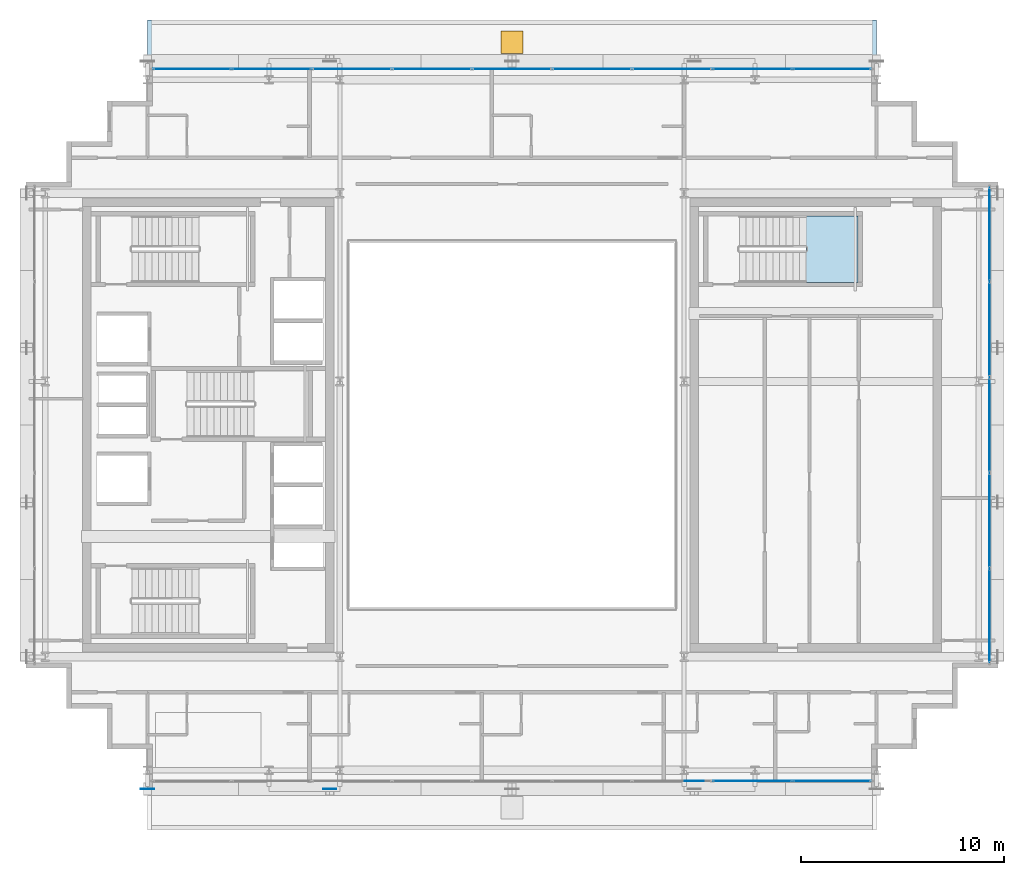
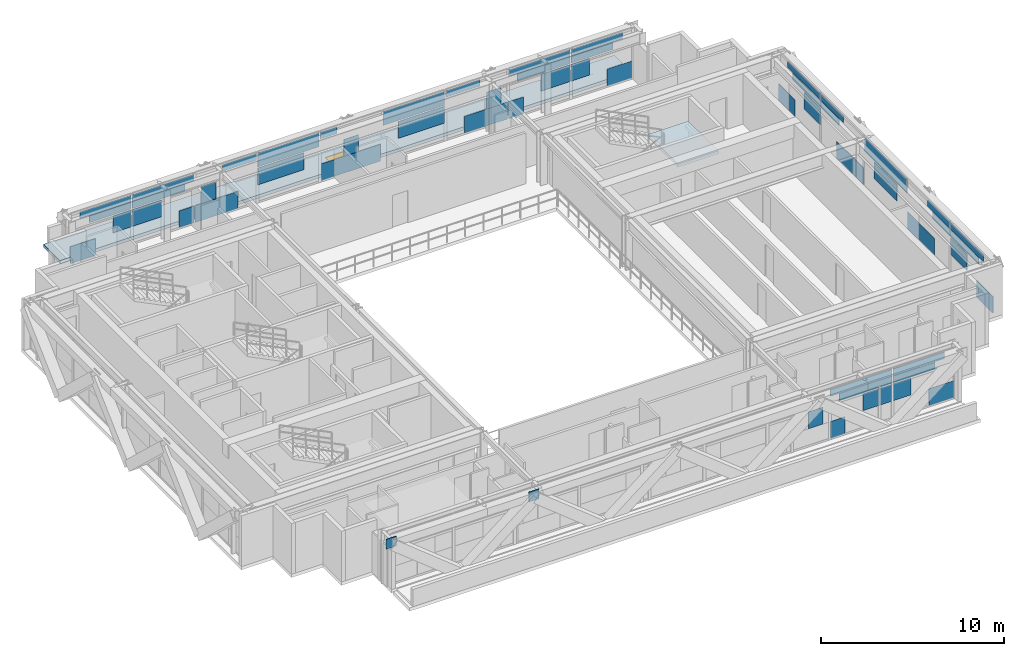
# One storey, part 17 of 27: 56 plates, 2 slabs, 1 door, 1 opening, 4 elements without a shape of their own.
"""IFC4 building model written with IfcOpenShell, lengths in metres."""

from ifc_helpers import new_model, si_unit, direction, frame, origin, origin_2d, place, context, subcontext, project, spatial, polyline, rectangle, outline, extrude, source, transform, mapped, material, layer, layer_set, type_object, element, fill, aggregate, save


model = new_model("IFC4")

# Units and contexts
model_context = context("Model", 3, precision=1e-05, world=origin(), true_north=direction((0.0, 1.0)))
body_context = subcontext(model_context, "Body", "Model", "MODEL_VIEW")
ifc_project = project(units=[si_unit("LENGTHUNIT", "METRE"), si_unit("AREAUNIT", "SQUARE_METRE"), si_unit("VOLUMEUNIT", "CUBIC_METRE"), si_unit("PLANEANGLEUNIT", "RADIAN"), si_unit("MASSUNIT", "GRAM", prefix="KILO")], contexts=[model_context])

# Site, building, storey
site_placement = place(None, origin())
site = spatial("IfcSite", under=ifc_project, at=site_placement, CompositionType="ELEMENT")
building_placement = place(site_placement, origin())
building = spatial("IfcBuilding", under=site, at=building_placement, Name="Ocotamira Hotel", CompositionType="ELEMENT")
storey_placement = place(building_placement, frame((0.0, 0.0, 232.800048828125)))
storey = spatial("IfcBuildingStorey", under=building, at=storey_placement, Name="L58", CompositionType="ELEMENT", Elevation=232.800048828125)

# Stair, slab
ifc_material_1 = material(Name="Concrete C40/50", Category="concrete")
stair_type = type_object("IfcStairType", Name="ST-CORE-1560", PredefinedType="HALF_TURN_STAIR", material=ifc_material_1)
stair_placement = place(storey_placement, origin())
stair = element("IfcStair", 1, at=stair_placement, inside=storey, type_object=stair_type, Name="L58 Exit Stair ST-4", PredefinedType="HALF_TURN_STAIR")
ifc_layer_1 = layer(ifc_material_1, 0.199951171875)
ifc_layer_set_1 = layer_set([ifc_layer_1], Name="Concrete C40/50")
slab_type_1 = type_object("IfcSlabType", Name="SLB-LAND-200", PredefinedType="LANDING", material=ifc_layer_set_1)
slab_1_placement = place(storey_placement, frame((0.0, 0.0, 1.599853515625)))
slab_1 = element("IfcSlab", 2, at=slab_1_placement, type_object=slab_type_1, Name="ST-4 landing 1", PredefinedType="LANDING", context=body_context, shape_type="SweptSolid", body=[
    extrude(outline(polyline([(46.530029296875, 33.050048828125), (49.090087890625, 33.050048828125), (49.090087890625, 36.330078125), (46.530029296875, 36.330078125), (46.530029296875, 33.050048828125)])), origin(), (0.0, 0.0, 1.0), 0.2001953125),
])
aggregate(stair, [slab_1])

# Slab, opening, door
ifc_layer_2 = layer(ifc_material_1, 0.219970703125)
ifc_layer_set_2 = layer_set([ifc_layer_2], Name="Concrete C40/50")
slab_type_2 = type_object("IfcSlabType", Name="SLB-ROOF-220", PredefinedType="ROOF", material=ifc_layer_set_2)
slab_2_placement = place(storey_placement, frame((0.0, 0.0, -0.219970703125)))
slab_2 = element("IfcSlab", 3, at=slab_2_placement, inside=storey, type_object=slab_type_2, Name="L58 Setback Roof Z4-N", PredefinedType="ROOF", context=body_context, shape_type="SweptSolid", body=[
    extrude(outline(polyline([(14.0, 44.199951171875), (50.0, 44.199951171875), (50.0, 46.0), (14.0, 46.0), (14.0, 44.199951171875)])), origin(), (0.0, 0.0, 1.0), 0.219970703125),
])
opening_placement = place(slab_2_placement, frame((32.0, 44.89990234375, 0.0)))
opening = element("IfcOpeningElement", 4, at=opening_placement, cuts=slab_2, Name="Opening RH-1", PredefinedType="OPENING", context=body_context, shape_type="SweptSolid", body=[
    extrude(rectangle(XDim=1.10009765625, YDim=1.10009765625, at=origin_2d()), frame((0.0, 0.0, -0.010009765625)), (0.0, 0.0, 1.0), 0.239990234375),
])
ifc_material_2 = material(Name="Insulated aluminium roof access hatch", Category="aluminium")
door_type = type_object("IfcDoorType", Name="DR-HATCH-1100", OperationType="NOTDEFINED", PredefinedType="TRAPDOOR", material=ifc_material_2)
door_placement = place(opening_placement, frame((0.0, 0.0, 0.169921875)))
door = element("IfcDoor", 5, at=door_placement, inside=storey, type_object=door_type, Name="L58 Maintenance Roof Hatch Z4N [RH-L58-Z4N]", OperationType="SINGLE_SWING_LEFT", OverallHeight=1.10009765625, OverallWidth=1.10009765625, PredefinedType="TRAPDOOR", context=body_context, shape_type="SweptSolid", body=[
    extrude(rectangle(XDim=1.10009765625, YDim=1.10009765625, at=origin_2d()), origin(), (0.0, 0.0, 1.0), 0.050048828125),
])
fill(opening, door)

# Plates
ifc_material_3 = material(Name="Pale-metal coated steel ASTM A572 Grade 50", Category="steel")
ifc_layer_3 = layer(ifc_material_3, 0.0400390625)
ifc_layer_set_3 = layer_set([ifc_layer_3], Name="Pale-metal coated steel ASTM A572 Grade 50")
plate_type_1 = type_object("IfcPlateType", Name="PLT-GUSSET-40", PredefinedType="SHEET", material=ifc_layer_set_3)
shared_shape_1 = source(origin(), body_context, "Body", "SweptSolid", [
    extrude(rectangle(XDim=0.64990234375, YDim=0.0400390625, at=origin_2d()), origin(), (0.0, 0.0, 1.0), 0.64990234375),
])
for number, where, z_axis, x_axis, name in (
    (6, (14.0, 8.030029296875, 2.804931640625), (0.0, 0.0, 1.0), (-1.0, 0.0, 0.0), "L58 Exoskeleton Diagrid S0.1 End Gusset B"),
    (7, (23.0, 8.030029296875, 2.804931640625), (0.0, 0.0, 1.0), (1.0, 0.0, 0.0), "L58 Exoskeleton Diagrid S0.2 End Gusset B"),
):
    element("IfcPlate", number, at=place(storey_placement, frame(where, z_axis=z_axis, x_axis=x_axis)), inside=storey, type_object=plate_type_1, Name=name, PredefinedType="SHEET", context=body_context, shape_type="MappedRepresentation", body=[
        mapped(shared_shape_1, transform((0.0, 0.0, 0.0), scale=1.0)),
    ])

# Curtain wall, plate
ifc_material_4 = material(Name="Anodised pale-metal aluminium and solar glass", Category="aluminium")
ifc_layer_4 = layer(ifc_material_4, 0.239990234375)
ifc_layer_set_4 = layer_set([ifc_layer_4], Name="Anodised pale-metal aluminium and solar glass")
curtain_wall_type = type_object("IfcCurtainWallType", Name="CW-SYS5-SKY", PredefinedType="NOTDEFINED", material=ifc_layer_set_4)
curtain_wall_1_placement = place(storey_placement, origin())
curtain_wall_1 = element("IfcCurtainWall", 8, at=curtain_wall_1_placement, inside=storey, type_object=curtain_wall_type, Name="L58 Curtain Wall CW-5 CW-L58-S1", PredefinedType="NOTDEFINED")
ifc_material_5 = material(Name="Double-silver low-E insulated solar glass", Category="glass")
ifc_layer_5 = layer(ifc_material_5, 0.031982421875)
ifc_layer_set_5 = layer_set([ifc_layer_5], Name="Double-silver low-E insulated solar glass")
plate_type_2 = type_object("IfcPlateType", Name="CWP-VISION-32", PredefinedType="CURTAIN_PANEL", material=ifc_layer_set_5)
shared_shape_2 = source(origin(), body_context, "Body", "SweptSolid", [
    extrude(rectangle(XDim=3.233154296875, YDim=0.031982421875, at=origin_2d()), origin(), (0.0, 0.0, 1.0), 0.4326171875),
])
plate_1_placement = place(storey_placement, frame((47.5009765625, 8.419921875, 2.872314453125), z_axis=(0.0, 0.0, 1.0), x_axis=(1.0, 0.0, 0.0)))
plate_1 = element("IfcPlate", 9, at=plate_1_placement, type_object=plate_type_2, Name="CW-5 panel 9.2.2", PredefinedType="CURTAIN_PANEL", context=body_context, shape_type="MappedRepresentation", body=[
    mapped(shared_shape_2, transform((0.0, 0.0, 0.0), scale=1.0)),
])

# Curtain wall, plates
curtain_wall_2_placement = place(storey_placement, origin())
curtain_wall_2 = element("IfcCurtainWall", 10, at=curtain_wall_2_placement, inside=storey, type_object=curtain_wall_type, Name="L58 Curtain Wall CW-5 CW-L58-N", PredefinedType="NOTDEFINED")
plate_2_placement = place(storey_placement, frame((16.4990234375, 43.580078125, 2.872314453125), z_axis=(0.0, 0.0, 1.0), x_axis=(1.0, 0.0, 0.0)))
plate_2 = element("IfcPlate", 11, at=plate_2_placement, type_object=plate_type_2, Name="CW-5 panel 1.2.1", PredefinedType="CURTAIN_PANEL", context=body_context, shape_type="MappedRepresentation", body=[
    mapped(shared_shape_2, transform((0.0, 0.0, 0.0), scale=1.0)),
])
plate_3_placement = place(storey_placement, frame((47.5009765625, 43.580078125, 2.872314453125), z_axis=(0.0, 0.0, 1.0), x_axis=(1.0, 0.0, 0.0)))
plate_3 = element("IfcPlate", 12, at=plate_3_placement, type_object=plate_type_2, Name="CW-5 panel 9.2.2", PredefinedType="CURTAIN_PANEL", context=body_context, shape_type="MappedRepresentation", body=[
    mapped(shared_shape_2, transform((0.0, 0.0, 0.0), scale=1.0)),
])

# Plate
shared_shape_3 = source(origin(), body_context, "Body", "SweptSolid", [
    extrude(rectangle(XDim=3.87548828125, YDim=0.031982421875, at=origin_2d()), origin(), (0.0, 0.0, 1.0), 0.4326171875),
])
plate_4_placement = place(storey_placement, frame((43.86669921875, 8.419921875, 2.872314453125), z_axis=(0.0, 0.0, 1.0), x_axis=(1.0, 0.0, 0.0)))
plate_4 = element("IfcPlate", 13, at=plate_4_placement, type_object=plate_type_2, Name="CW-5 panel 8.2.1", PredefinedType="CURTAIN_PANEL", context=body_context, shape_type="MappedRepresentation", body=[
    mapped(shared_shape_3, transform((0.0, 0.0, 0.0), scale=1.0)),
])

plate_5_placement = place(storey_placement, frame((20.13330078125, 43.580078125, 2.872314453125), z_axis=(0.0, 0.0, 1.0), x_axis=(1.0, 0.0, 0.0)))
plate_5 = element("IfcPlate", 14, at=plate_5_placement, type_object=plate_type_2, Name="CW-5 panel 2.2.2", PredefinedType="CURTAIN_PANEL", context=body_context, shape_type="MappedRepresentation", body=[
    mapped(shared_shape_3, transform((0.0, 0.0, 0.0), scale=1.0)),
])

plate_6_placement = place(storey_placement, frame((43.86669921875, 43.580078125, 2.872314453125), z_axis=(0.0, 0.0, 1.0), x_axis=(1.0, 0.0, 0.0)))
plate_6 = element("IfcPlate", 15, at=plate_6_placement, type_object=plate_type_2, Name="CW-5 panel 8.2.1", PredefinedType="CURTAIN_PANEL", context=body_context, shape_type="MappedRepresentation", body=[
    mapped(shared_shape_3, transform((0.0, 0.0, 0.0), scale=1.0)),
])

shared_shape_4 = source(origin(), body_context, "Body", "SweptSolid", [
    extrude(rectangle(XDim=2.144287109375, YDim=0.031982421875, at=origin_2d()), origin(), (0.0, 0.0, 1.0), 0.4326171875),
])
plate_7_placement = place(storey_placement, frame((24.95458984375, 43.580078125, 2.872314453125), z_axis=(0.0, 0.0, 1.0), x_axis=(1.0, 0.0, 0.0)))
plate_7 = element("IfcPlate", 16, at=plate_7_placement, type_object=plate_type_2, Name="CW-5 panel 3.2.1", PredefinedType="CURTAIN_PANEL", context=body_context, shape_type="MappedRepresentation", body=[
    mapped(shared_shape_4, transform((0.0, 0.0, 0.0), scale=1.0)),
])

plate_8_placement = place(storey_placement, frame((39.04541015625, 43.580078125, 2.872314453125), z_axis=(0.0, 0.0, 1.0), x_axis=(1.0, 0.0, 0.0)))
plate_8 = element("IfcPlate", 17, at=plate_8_placement, type_object=plate_type_2, Name="CW-5 panel 7.2.1", PredefinedType="CURTAIN_PANEL", context=body_context, shape_type="MappedRepresentation", body=[
    mapped(shared_shape_4, transform((0.0, 0.0, 0.0), scale=1.0)),
])

shared_shape_5 = source(origin(), body_context, "Body", "SweptSolid", [
    extrude(rectangle(XDim=1.055419921875, YDim=0.031982421875, at=origin_2d()), origin(), (0.0, 0.0, 1.0), 0.4326171875),
])
plate_9_placement = place(storey_placement, frame((30.58984375, 43.580078125, 2.872314453125), z_axis=(0.0, 0.0, 1.0), x_axis=(1.0, 0.0, 0.0)))
plate_9 = element("IfcPlate", 18, at=plate_9_placement, type_object=plate_type_2, Name="CW-5 panel 5.2.1", PredefinedType="CURTAIN_PANEL", context=body_context, shape_type="MappedRepresentation", body=[
    mapped(shared_shape_5, transform((0.0, 0.0, 0.0), scale=1.0)),
])

shared_shape_6 = source(origin(), body_context, "Body", "SweptSolid", [
    extrude(rectangle(XDim=2.91259765625, YDim=0.031982421875, at=origin_2d()), origin(), (0.0, 0.0, 1.0), 1.118896484375),
])
plate_10_placement = place(storey_placement, frame((27.56298828125, 43.580078125, 1.193359375), z_axis=(0.0, 0.0, 1.0), x_axis=(1.0, 0.0, 0.0)))
plate_10 = element("IfcPlate", 19, at=plate_10_placement, type_object=plate_type_2, Name="CW-5 panel 4.1.1", PredefinedType="CURTAIN_PANEL", context=body_context, shape_type="MappedRepresentation", body=[
    mapped(shared_shape_6, transform((0.0, 0.0, 0.0), scale=1.0)),
])

plate_11_placement = place(storey_placement, frame((36.43701171875, 43.580078125, 1.193359375), z_axis=(0.0, 0.0, 1.0), x_axis=(1.0, 0.0, 0.0)))
plate_11 = element("IfcPlate", 20, at=plate_11_placement, type_object=plate_type_2, Name="CW-5 panel 6.1.1", PredefinedType="CURTAIN_PANEL", context=body_context, shape_type="MappedRepresentation", body=[
    mapped(shared_shape_6, transform((0.0, 0.0, 0.0), scale=1.0)),
])

shared_shape_7 = source(origin(), body_context, "Body", "SweptSolid", [
    extrude(rectangle(XDim=1.580078125, YDim=0.031982421875, at=origin_2d()), origin(), (0.0, 0.0, 1.0), 1.118896484375),
])
plate_12_placement = place(storey_placement, frame((48.929931640625, 8.419921875, 0.07470703125), z_axis=(0.0, 0.0, 1.0), x_axis=(1.0, 0.0, 0.0)))
plate_12 = element("IfcPlate", 21, at=plate_12_placement, type_object=plate_type_2, Name="CW-5 panel 9.1.2", PredefinedType="CURTAIN_PANEL", context=body_context, shape_type="MappedRepresentation", body=[
    mapped(shared_shape_7, transform((0.0, 0.0, 0.0), scale=1.0)),
])

plate_13_placement = place(storey_placement, frame((15.070068359375, 43.580078125, 0.07470703125), z_axis=(0.0, 0.0, 1.0), x_axis=(1.0, 0.0, 0.0)))
plate_13 = element("IfcPlate", 22, at=plate_13_placement, type_object=plate_type_2, Name="CW-5 panel 1.1.1", PredefinedType="CURTAIN_PANEL", context=body_context, shape_type="MappedRepresentation", body=[
    mapped(shared_shape_7, transform((0.0, 0.0, 0.0), scale=1.0)),
])

plate_14_placement = place(storey_placement, frame((48.929931640625, 43.580078125, 0.07470703125), z_axis=(0.0, 0.0, 1.0), x_axis=(1.0, 0.0, 0.0)))
plate_14 = element("IfcPlate", 23, at=plate_14_placement, type_object=plate_type_2, Name="CW-5 panel 9.1.2", PredefinedType="CURTAIN_PANEL", context=body_context, shape_type="MappedRepresentation", body=[
    mapped(shared_shape_7, transform((0.0, 0.0, 0.0), scale=1.0)),
])

shared_shape_8 = source(origin(), body_context, "Body", "SweptSolid", [
    extrude(rectangle(XDim=1.135009765625, YDim=0.031982421875, at=origin_2d()), origin(), (0.0, 0.0, 1.0), 1.118896484375),
])
plate_15_placement = place(storey_placement, frame((46.451904296875, 8.419921875, 1.193359375), z_axis=(0.0, 0.0, 1.0), x_axis=(1.0, 0.0, 0.0)))
plate_15 = element("IfcPlate", 24, at=plate_15_placement, type_object=plate_type_2, Name="CW-5 panel 9.1.1", PredefinedType="CURTAIN_PANEL", context=body_context, shape_type="MappedRepresentation", body=[
    mapped(shared_shape_8, transform((0.0, 0.0, 0.0), scale=1.0)),
])

plate_16_placement = place(storey_placement, frame((17.548095703125, 43.580078125, 1.193359375), z_axis=(0.0, 0.0, 1.0), x_axis=(1.0, 0.0, 0.0)))
plate_16 = element("IfcPlate", 25, at=plate_16_placement, type_object=plate_type_2, Name="CW-5 panel 1.1.2", PredefinedType="CURTAIN_PANEL", context=body_context, shape_type="MappedRepresentation", body=[
    mapped(shared_shape_8, transform((0.0, 0.0, 0.0), scale=1.0)),
])

plate_17_placement = place(storey_placement, frame((46.451904296875, 43.580078125, 1.193359375), z_axis=(0.0, 0.0, 1.0), x_axis=(1.0, 0.0, 0.0)))
plate_17 = element("IfcPlate", 26, at=plate_17_placement, type_object=plate_type_2, Name="CW-5 panel 9.1.1", PredefinedType="CURTAIN_PANEL", context=body_context, shape_type="MappedRepresentation", body=[
    mapped(shared_shape_8, transform((0.0, 0.0, 0.0), scale=1.0)),
])

shared_shape_9 = source(origin(), body_context, "Body", "SweptSolid", [
    extrude(rectangle(XDim=2.627197265625, YDim=0.031982421875, at=origin_2d()), origin(), (0.0, 0.0, 1.0), 0.45361328125),
])
plate_18_placement = place(storey_placement, frame((47.197998046875, 8.419921875, 2.387451171875), z_axis=(0.0, 0.0, 1.0), x_axis=(1.0, 0.0, 0.0)))
plate_18 = element("IfcPlate", 27, at=plate_18_placement, type_object=plate_type_2, Name="CW-5 panel 9.2.1", PredefinedType="CURTAIN_PANEL", context=body_context, shape_type="MappedRepresentation", body=[
    mapped(shared_shape_9, transform((0.0, 0.0, 0.0), scale=1.0)),
])

plate_19_placement = place(storey_placement, frame((16.802001953125, 43.580078125, 2.387451171875), z_axis=(0.0, 0.0, 1.0), x_axis=(1.0, 0.0, 0.0)))
plate_19 = element("IfcPlate", 28, at=plate_19_placement, type_object=plate_type_2, Name="CW-5 panel 1.2.2", PredefinedType="CURTAIN_PANEL", context=body_context, shape_type="MappedRepresentation", body=[
    mapped(shared_shape_9, transform((0.0, 0.0, 0.0), scale=1.0)),
])

plate_20_placement = place(storey_placement, frame((47.197998046875, 43.580078125, 2.387451171875), z_axis=(0.0, 0.0, 1.0), x_axis=(1.0, 0.0, 0.0)))
plate_20 = element("IfcPlate", 29, at=plate_20_placement, type_object=plate_type_2, Name="CW-5 panel 9.2.1", PredefinedType="CURTAIN_PANEL", context=body_context, shape_type="MappedRepresentation", body=[
    mapped(shared_shape_9, transform((0.0, 0.0, 0.0), scale=1.0)),
])

shared_shape_10 = source(origin(), body_context, "Body", "SweptSolid", [
    extrude(rectangle(XDim=1.823974609375, YDim=0.031982421875, at=origin_2d()), origin(), (0.0, 0.0, 1.0), 1.118896484375),
])
plate_21_placement = place(storey_placement, frame((44.892578125, 8.419921875, 1.193359375), z_axis=(0.0, 0.0, 1.0), x_axis=(1.0, 0.0, 0.0)))
plate_21 = element("IfcPlate", 30, at=plate_21_placement, type_object=plate_type_2, Name="CW-5 panel 8.1.2", PredefinedType="CURTAIN_PANEL", context=body_context, shape_type="MappedRepresentation", body=[
    mapped(shared_shape_10, transform((0.0, 0.0, 0.0), scale=1.0)),
])

plate_22_placement = place(storey_placement, frame((19.107421875, 43.580078125, 1.193359375), z_axis=(0.0, 0.0, 1.0), x_axis=(1.0, 0.0, 0.0)))
plate_22 = element("IfcPlate", 31, at=plate_22_placement, type_object=plate_type_2, Name="CW-5 panel 2.1.1", PredefinedType="CURTAIN_PANEL", context=body_context, shape_type="MappedRepresentation", body=[
    mapped(shared_shape_10, transform((0.0, 0.0, 0.0), scale=1.0)),
])

plate_23_placement = place(storey_placement, frame((44.892578125, 43.580078125, 1.193359375), z_axis=(0.0, 0.0, 1.0), x_axis=(1.0, 0.0, 0.0)))
plate_23 = element("IfcPlate", 32, at=plate_23_placement, type_object=plate_type_2, Name="CW-5 panel 8.1.2", PredefinedType="CURTAIN_PANEL", context=body_context, shape_type="MappedRepresentation", body=[
    mapped(shared_shape_10, transform((0.0, 0.0, 0.0), scale=1.0)),
])

shared_shape_11 = source(origin(), body_context, "Body", "SweptSolid", [
    extrude(rectangle(XDim=0.93115234375, YDim=0.031982421875, at=origin_2d()), origin(), (0.0, 0.0, 1.0), 1.118896484375),
])
plate_24_placement = place(storey_placement, frame((42.39453125, 8.419921875, 0.07470703125), z_axis=(0.0, 0.0, 1.0), x_axis=(1.0, 0.0, 0.0)))
plate_24 = element("IfcPlate", 33, at=plate_24_placement, type_object=plate_type_2, Name="CW-5 panel 8.1.1", PredefinedType="CURTAIN_PANEL", context=body_context, shape_type="MappedRepresentation", body=[
    mapped(shared_shape_11, transform((0.0, 0.0, 0.0), scale=1.0)),
])

plate_25_placement = place(storey_placement, frame((21.60546875, 43.580078125, 0.07470703125), z_axis=(0.0, 0.0, 1.0), x_axis=(1.0, 0.0, 0.0)))
plate_25 = element("IfcPlate", 34, at=plate_25_placement, type_object=plate_type_2, Name="CW-5 panel 2.1.2", PredefinedType="CURTAIN_PANEL", context=body_context, shape_type="MappedRepresentation", body=[
    mapped(shared_shape_11, transform((0.0, 0.0, 0.0), scale=1.0)),
])

plate_26_placement = place(storey_placement, frame((42.39453125, 43.580078125, 0.07470703125), z_axis=(0.0, 0.0, 1.0), x_axis=(1.0, 0.0, 0.0)))
plate_26 = element("IfcPlate", 35, at=plate_26_placement, type_object=plate_type_2, Name="CW-5 panel 8.1.1", PredefinedType="CURTAIN_PANEL", context=body_context, shape_type="MappedRepresentation", body=[
    mapped(shared_shape_11, transform((0.0, 0.0, 0.0), scale=1.0)),
])

shared_shape_12 = source(origin(), body_context, "Body", "SweptSolid", [
    extrude(rectangle(XDim=3.31591796875, YDim=0.031982421875, at=origin_2d()), origin(), (0.0, 0.0, 1.0), 0.48486328125),
])
plate_27_placement = place(storey_placement, frame((44.146484375, 8.419921875, 2.387451171875), z_axis=(0.0, 0.0, 1.0), x_axis=(1.0, 0.0, 0.0)))
plate_27 = element("IfcPlate", 36, at=plate_27_placement, type_object=plate_type_2, Name="CW-5 panel 8.2.2", PredefinedType="CURTAIN_PANEL", context=body_context, shape_type="MappedRepresentation", body=[
    mapped(shared_shape_12, transform((0.0, 0.0, 0.0), scale=1.0)),
])

plate_28_placement = place(storey_placement, frame((19.853515625, 43.580078125, 2.387451171875), z_axis=(0.0, 0.0, 1.0), x_axis=(1.0, 0.0, 0.0)))
plate_28 = element("IfcPlate", 37, at=plate_28_placement, type_object=plate_type_2, Name="CW-5 panel 2.2.1", PredefinedType="CURTAIN_PANEL", context=body_context, shape_type="MappedRepresentation", body=[
    mapped(shared_shape_12, transform((0.0, 0.0, 0.0), scale=1.0)),
])

plate_29_placement = place(storey_placement, frame((44.146484375, 43.580078125, 2.387451171875), z_axis=(0.0, 0.0, 1.0), x_axis=(1.0, 0.0, 0.0)))
plate_29 = element("IfcPlate", 38, at=plate_29_placement, type_object=plate_type_2, Name="CW-5 panel 8.2.2", PredefinedType="CURTAIN_PANEL", context=body_context, shape_type="MappedRepresentation", body=[
    mapped(shared_shape_12, transform((0.0, 0.0, 0.0), scale=1.0)),
])

shared_shape_13 = source(origin(), body_context, "Body", "SweptSolid", [
    extrude(rectangle(XDim=2.708984375, YDim=0.031982421875, at=origin_2d()), origin(), (0.0, 0.0, 1.0), 1.118896484375),
])
plate_30_placement = place(storey_placement, frame((23.505615234375, 43.580078125, 0.07470703125), z_axis=(0.0, 0.0, 1.0), x_axis=(1.0, 0.0, 0.0)))
plate_30 = element("IfcPlate", 39, at=plate_30_placement, type_object=plate_type_2, Name="CW-5 panel 3.1.1", PredefinedType="CURTAIN_PANEL", context=body_context, shape_type="MappedRepresentation", body=[
    mapped(shared_shape_13, transform((0.0, 0.0, 0.0), scale=1.0)),
])

plate_31_placement = place(storey_placement, frame((40.494384765625, 43.580078125, 0.07470703125), z_axis=(0.0, 0.0, 1.0), x_axis=(1.0, 0.0, 0.0)))
plate_31 = element("IfcPlate", 40, at=plate_31_placement, type_object=plate_type_2, Name="CW-5 panel 7.1.1", PredefinedType="CURTAIN_PANEL", context=body_context, shape_type="MappedRepresentation", body=[
    mapped(shared_shape_13, transform((0.0, 0.0, 0.0), scale=1.0)),
])

shared_shape_14 = source(origin(), body_context, "Body", "SweptSolid", [
    extrude(rectangle(XDim=0.923095703125, YDim=0.031982421875, at=origin_2d()), origin(), (0.0, 0.0, 1.0), 1.118896484375),
])
plate_32_placement = place(storey_placement, frame((41.0, 8.419921875, 1.193359375), z_axis=(0.0, 0.0, 1.0), x_axis=(1.0, 0.0, 0.0)))
plate_32 = element("IfcPlate", 41, at=plate_32_placement, type_object=plate_type_2, Name="CW-5 panel 7.1.2", PredefinedType="CURTAIN_PANEL", context=body_context, shape_type="MappedRepresentation", body=[
    mapped(shared_shape_14, transform((0.0, 0.0, 0.0), scale=1.0)),
])

aggregate(curtain_wall_1, [plate_32, plate_24, plate_21, plate_4, plate_27, plate_15, plate_12, plate_18, plate_1])

plate_33_placement = place(storey_placement, frame((23.0, 43.580078125, 1.193359375), z_axis=(0.0, 0.0, 1.0), x_axis=(1.0, 0.0, 0.0)))
plate_33 = element("IfcPlate", 42, at=plate_33_placement, type_object=plate_type_2, Name="CW-5 panel 3.1.2", PredefinedType="CURTAIN_PANEL", context=body_context, shape_type="MappedRepresentation", body=[
    mapped(shared_shape_14, transform((0.0, 0.0, 0.0), scale=1.0)),
])

plate_34_placement = place(storey_placement, frame((32.0, 43.580078125, 1.193359375), z_axis=(0.0, 0.0, 1.0), x_axis=(1.0, 0.0, 0.0)))
plate_34 = element("IfcPlate", 43, at=plate_34_placement, type_object=plate_type_2, Name="CW-5 panel 5.1.2", PredefinedType="CURTAIN_PANEL", context=body_context, shape_type="MappedRepresentation", body=[
    mapped(shared_shape_14, transform((0.0, 0.0, 0.0), scale=1.0)),
])

plate_35_placement = place(storey_placement, frame((41.0, 43.580078125, 1.193359375), z_axis=(0.0, 0.0, 1.0), x_axis=(1.0, 0.0, 0.0)))
plate_35 = element("IfcPlate", 44, at=plate_35_placement, type_object=plate_type_2, Name="CW-5 panel 7.1.2", PredefinedType="CURTAIN_PANEL", context=body_context, shape_type="MappedRepresentation", body=[
    mapped(shared_shape_14, transform((0.0, 0.0, 0.0), scale=1.0)),
])

shared_shape_15 = source(origin(), body_context, "Body", "SweptSolid", [
    extrude(rectangle(XDim=3.87548828125, YDim=0.031982421875, at=origin_2d()), origin(), (0.0, 0.0, 1.0), 0.91748046875),
])
plate_36_placement = place(storey_placement, frame((28.04443359375, 43.580078125, 2.387451171875), z_axis=(0.0, 0.0, 1.0), x_axis=(1.0, 0.0, 0.0)))
plate_36 = element("IfcPlate", 45, at=plate_36_placement, type_object=plate_type_2, Name="CW-5 panel 4.2", PredefinedType="CURTAIN_PANEL", context=body_context, shape_type="MappedRepresentation", body=[
    mapped(shared_shape_15, transform((0.0, 0.0, 0.0), scale=1.0)),
])

plate_37_placement = place(storey_placement, frame((35.95556640625, 43.580078125, 2.387451171875), z_axis=(0.0, 0.0, 1.0), x_axis=(1.0, 0.0, 0.0)))
plate_37 = element("IfcPlate", 46, at=plate_37_placement, type_object=plate_type_2, Name="CW-5 panel 6.2", PredefinedType="CURTAIN_PANEL", context=body_context, shape_type="MappedRepresentation", body=[
    mapped(shared_shape_15, transform((0.0, 0.0, 0.0), scale=1.0)),
])

shared_shape_16 = source(origin(), body_context, "Body", "SweptSolid", [
    extrude(rectangle(XDim=3.72021484375, YDim=0.031982421875, at=origin_2d()), origin(), (0.0, 0.0, 1.0), 1.118896484375),
])
plate_38_placement = place(storey_placement, frame((32.0, 43.580078125, 0.07470703125), z_axis=(0.0, 0.0, 1.0), x_axis=(1.0, 0.0, 0.0)))
plate_38 = element("IfcPlate", 47, at=plate_38_placement, type_object=plate_type_2, Name="CW-5 panel 5.1.1", PredefinedType="CURTAIN_PANEL", context=body_context, shape_type="MappedRepresentation", body=[
    mapped(shared_shape_16, transform((0.0, 0.0, 0.0), scale=1.0)),
])

aggregate(curtain_wall_2, [plate_13, plate_16, plate_2, plate_19, plate_22, plate_25, plate_28, plate_5, plate_30, plate_33, plate_7, plate_10, plate_36, plate_38, plate_34, plate_9, plate_11, plate_37, plate_31, plate_35, plate_8, plate_26, plate_23, plate_6, plate_29, plate_17, plate_14, plate_20, plate_3])

# Curtain wall, plates
curtain_wall_3_placement = place(storey_placement, origin())
curtain_wall_3 = element("IfcCurtainWall", 48, at=curtain_wall_3_placement, inside=storey, type_object=curtain_wall_type, Name="L58 Curtain Wall CW-5 CW-L58-E", PredefinedType="NOTDEFINED")
shared_shape_17 = source(origin(), body_context, "Body", "SweptSolid", [
    extrude(rectangle(XDim=1.812744140625, YDim=0.031982421875, at=origin_2d()), origin(), (0.0, 0.0, 1.0), 1.118896484375),
])
plate_39_placement = place(storey_placement, frame((55.580078125, 15.186279296875, 0.07470703125), z_axis=(0.0, 0.0, 1.0), x_axis=(0.0, 1.0, 0.0)))
plate_39 = element("IfcPlate", 49, at=plate_39_placement, type_object=plate_type_2, Name="CW-5 panel 1.1.1", PredefinedType="CURTAIN_PANEL", context=body_context, shape_type="MappedRepresentation", body=[
    mapped(shared_shape_17, transform((0.0, 0.0, 0.0), scale=1.0)),
])
plate_40_placement = place(storey_placement, frame((55.580078125, 36.813720703125, 0.07470703125), z_axis=(0.0, 0.0, 1.0), x_axis=(0.0, 1.0, 0.0)))
plate_40 = element("IfcPlate", 50, at=plate_40_placement, type_object=plate_type_2, Name="CW-5 panel 5.1.2", PredefinedType="CURTAIN_PANEL", context=body_context, shape_type="MappedRepresentation", body=[
    mapped(shared_shape_17, transform((0.0, 0.0, 0.0), scale=1.0)),
])
shared_shape_18 = source(origin(), body_context, "Body", "SweptSolid", [
    extrude(rectangle(XDim=1.76708984375, YDim=0.031982421875, at=origin_2d()), origin(), (0.0, 0.0, 1.0), 1.118896484375),
])
plate_41_placement = place(storey_placement, frame((55.580078125, 17.996337890625, 1.193359375), z_axis=(0.0, 0.0, 1.0), x_axis=(0.0, 1.0, 0.0)))
plate_41 = element("IfcPlate", 51, at=plate_41_placement, type_object=plate_type_2, Name="CW-5 panel 1.1.2", PredefinedType="CURTAIN_PANEL", context=body_context, shape_type="MappedRepresentation", body=[
    mapped(shared_shape_18, transform((0.0, 0.0, 0.0), scale=1.0)),
])
plate_42_placement = place(storey_placement, frame((55.580078125, 34.003662109375, 1.193359375), z_axis=(0.0, 0.0, 1.0), x_axis=(0.0, 1.0, 0.0)))
plate_42 = element("IfcPlate", 52, at=plate_42_placement, type_object=plate_type_2, Name="CW-5 panel 5.1.1", PredefinedType="CURTAIN_PANEL", context=body_context, shape_type="MappedRepresentation", body=[
    mapped(shared_shape_18, transform((0.0, 0.0, 0.0), scale=1.0)),
])
shared_shape_19 = source(origin(), body_context, "Body", "SweptSolid", [
    extrude(rectangle(XDim=3.568115234375, YDim=0.031982421875, at=origin_2d()), origin(), (0.0, 0.0, 1.0), 0.41259765625),
])
plate_43_placement = place(storey_placement, frame((55.580078125, 17.095947265625, 2.892333984375), z_axis=(0.0, 0.0, 1.0), x_axis=(0.0, 1.0, 0.0)))
plate_43 = element("IfcPlate", 53, at=plate_43_placement, type_object=plate_type_2, Name="CW-5 panel 1.2.1", PredefinedType="CURTAIN_PANEL", context=body_context, shape_type="MappedRepresentation", body=[
    mapped(shared_shape_19, transform((0.0, 0.0, 0.0), scale=1.0)),
])
plate_44_placement = place(storey_placement, frame((55.580078125, 34.904052734375, 2.892333984375), z_axis=(0.0, 0.0, 1.0), x_axis=(0.0, 1.0, 0.0)))
plate_44 = element("IfcPlate", 54, at=plate_44_placement, type_object=plate_type_2, Name="CW-5 panel 5.2.2", PredefinedType="CURTAIN_PANEL", context=body_context, shape_type="MappedRepresentation", body=[
    mapped(shared_shape_19, transform((0.0, 0.0, 0.0), scale=1.0)),
])
shared_shape_20 = source(origin(), body_context, "Body", "SweptSolid", [
    extrude(rectangle(XDim=3.03271484375, YDim=0.031982421875, at=origin_2d()), origin(), (0.0, 0.0, 1.0), 0.470703125),
])
plate_45_placement = place(storey_placement, frame((55.580078125, 17.363525390625, 2.387451171875), z_axis=(0.0, 0.0, 1.0), x_axis=(0.0, 1.0, 0.0)))
plate_45 = element("IfcPlate", 55, at=plate_45_placement, type_object=plate_type_2, Name="CW-5 panel 1.2.2", PredefinedType="CURTAIN_PANEL", context=body_context, shape_type="MappedRepresentation", body=[
    mapped(shared_shape_20, transform((0.0, 0.0, 0.0), scale=1.0)),
])
plate_46_placement = place(storey_placement, frame((55.580078125, 34.636474609375, 2.387451171875), z_axis=(0.0, 0.0, 1.0), x_axis=(0.0, 1.0, 0.0)))
plate_46 = element("IfcPlate", 56, at=plate_46_placement, type_object=plate_type_2, Name="CW-5 panel 5.2.1", PredefinedType="CURTAIN_PANEL", context=body_context, shape_type="MappedRepresentation", body=[
    mapped(shared_shape_20, transform((0.0, 0.0, 0.0), scale=1.0)),
])
shared_shape_21 = source(origin(), body_context, "Body", "SweptSolid", [
    extrude(rectangle(XDim=2.95947265625, YDim=0.031982421875, at=origin_2d()), origin(), (0.0, 0.0, 1.0), 1.118896484375),
])
plate_47_placement = place(storey_placement, frame((55.580078125, 22.120361328125, 0.07470703125), z_axis=(0.0, 0.0, 1.0), x_axis=(0.0, 1.0, 0.0)))
plate_47 = element("IfcPlate", 57, at=plate_47_placement, type_object=plate_type_2, Name="CW-5 panel 2.1.1", PredefinedType="CURTAIN_PANEL", context=body_context, shape_type="MappedRepresentation", body=[
    mapped(shared_shape_21, transform((0.0, 0.0, 0.0), scale=1.0)),
])
plate_48_placement = place(storey_placement, frame((55.580078125, 29.879638671875, 0.07470703125), z_axis=(0.0, 0.0, 1.0), x_axis=(0.0, 1.0, 0.0)))
plate_48 = element("IfcPlate", 58, at=plate_48_placement, type_object=plate_type_2, Name="CW-5 panel 4.1.1", PredefinedType="CURTAIN_PANEL", context=body_context, shape_type="MappedRepresentation", body=[
    mapped(shared_shape_21, transform((0.0, 0.0, 0.0), scale=1.0)),
])
shared_shape_22 = source(origin(), body_context, "Body", "SweptSolid", [
    extrude(rectangle(XDim=1.926025390625, YDim=0.031982421875, at=origin_2d()), origin(), (0.0, 0.0, 1.0), 0.470703125),
])
plate_49_placement = place(storey_placement, frame((55.580078125, 19.923095703125, 2.387451171875), z_axis=(0.0, 0.0, 1.0), x_axis=(0.0, 1.0, 0.0)))
plate_49 = element("IfcPlate", 59, at=plate_49_placement, type_object=plate_type_2, Name="CW-5 panel 2.2.1", PredefinedType="CURTAIN_PANEL", context=body_context, shape_type="MappedRepresentation", body=[
    mapped(shared_shape_22, transform((0.0, 0.0, 0.0), scale=1.0)),
])
plate_50_placement = place(storey_placement, frame((55.580078125, 32.076904296875, 2.387451171875), z_axis=(0.0, 0.0, 1.0), x_axis=(0.0, 1.0, 0.0)))
plate_50 = element("IfcPlate", 60, at=plate_50_placement, type_object=plate_type_2, Name="CW-5 panel 4.2.2", PredefinedType="CURTAIN_PANEL", context=body_context, shape_type="MappedRepresentation", body=[
    mapped(shared_shape_22, transform((0.0, 0.0, 0.0), scale=1.0)),
])
shared_shape_23 = source(origin(), body_context, "Body", "SweptSolid", [
    extrude(rectangle(XDim=2.46142578125, YDim=0.031982421875, at=origin_2d()), origin(), (0.0, 0.0, 1.0), 0.41259765625),
])
plate_51_placement = place(storey_placement, frame((55.580078125, 20.190673828125, 2.892333984375), z_axis=(0.0, 0.0, 1.0), x_axis=(0.0, 1.0, 0.0)))
plate_51 = element("IfcPlate", 61, at=plate_51_placement, type_object=plate_type_2, Name="CW-5 panel 2.2.2", PredefinedType="CURTAIN_PANEL", context=body_context, shape_type="MappedRepresentation", body=[
    mapped(shared_shape_23, transform((0.0, 0.0, 0.0), scale=1.0)),
])
plate_52_placement = place(storey_placement, frame((55.580078125, 31.809326171875, 2.892333984375), z_axis=(0.0, 0.0, 1.0), x_axis=(0.0, 1.0, 0.0)))
plate_52 = element("IfcPlate", 62, at=plate_52_placement, type_object=plate_type_2, Name="CW-5 panel 4.2.1", PredefinedType="CURTAIN_PANEL", context=body_context, shape_type="MappedRepresentation", body=[
    mapped(shared_shape_23, transform((0.0, 0.0, 0.0), scale=1.0)),
])
shared_shape_24 = source(origin(), body_context, "Body", "SweptSolid", [
    extrude(rectangle(XDim=2.507568359375, YDim=0.031982421875, at=origin_2d()), origin(), (0.0, 0.0, 1.0), 1.118896484375),
])
plate_53_placement = place(storey_placement, frame((55.580078125, 26.0, 1.193359375), z_axis=(0.0, 0.0, 1.0), x_axis=(0.0, 1.0, 0.0)))
plate_53 = element("IfcPlate", 63, at=plate_53_placement, type_object=plate_type_2, Name="CW-5 panel 3.1.1", PredefinedType="CURTAIN_PANEL", context=body_context, shape_type="MappedRepresentation", body=[
    mapped(shared_shape_24, transform((0.0, 0.0, 0.0), scale=1.0)),
])
shared_shape_25 = source(origin(), body_context, "Body", "SweptSolid", [
    extrude(rectangle(XDim=4.639892578125, YDim=0.031982421875, at=origin_2d()), origin(), (0.0, 0.0, 1.0), 0.91748046875),
])
plate_54_placement = place(storey_placement, frame((55.580078125, 26.0, 2.387451171875), z_axis=(0.0, 0.0, 1.0), x_axis=(0.0, 1.0, 0.0)))
plate_54 = element("IfcPlate", 64, at=plate_54_placement, type_object=plate_type_2, Name="CW-5 panel 3.2", PredefinedType="CURTAIN_PANEL", context=body_context, shape_type="MappedRepresentation", body=[
    mapped(shared_shape_25, transform((0.0, 0.0, 0.0), scale=1.0)),
])
aggregate(curtain_wall_3, [plate_39, plate_41, plate_43, plate_45, plate_47, plate_49, plate_51, plate_53, plate_54, plate_48, plate_52, plate_50, plate_42, plate_40, plate_46, plate_44])

save(model, "model.ifc")
